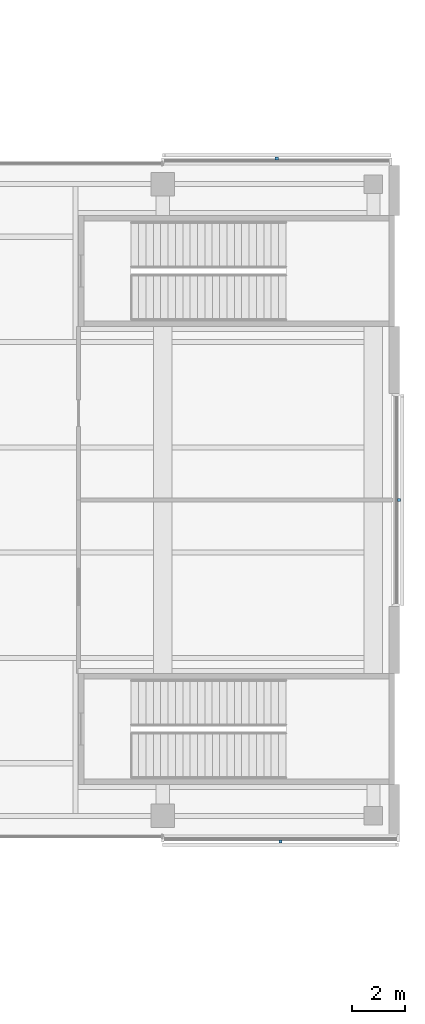
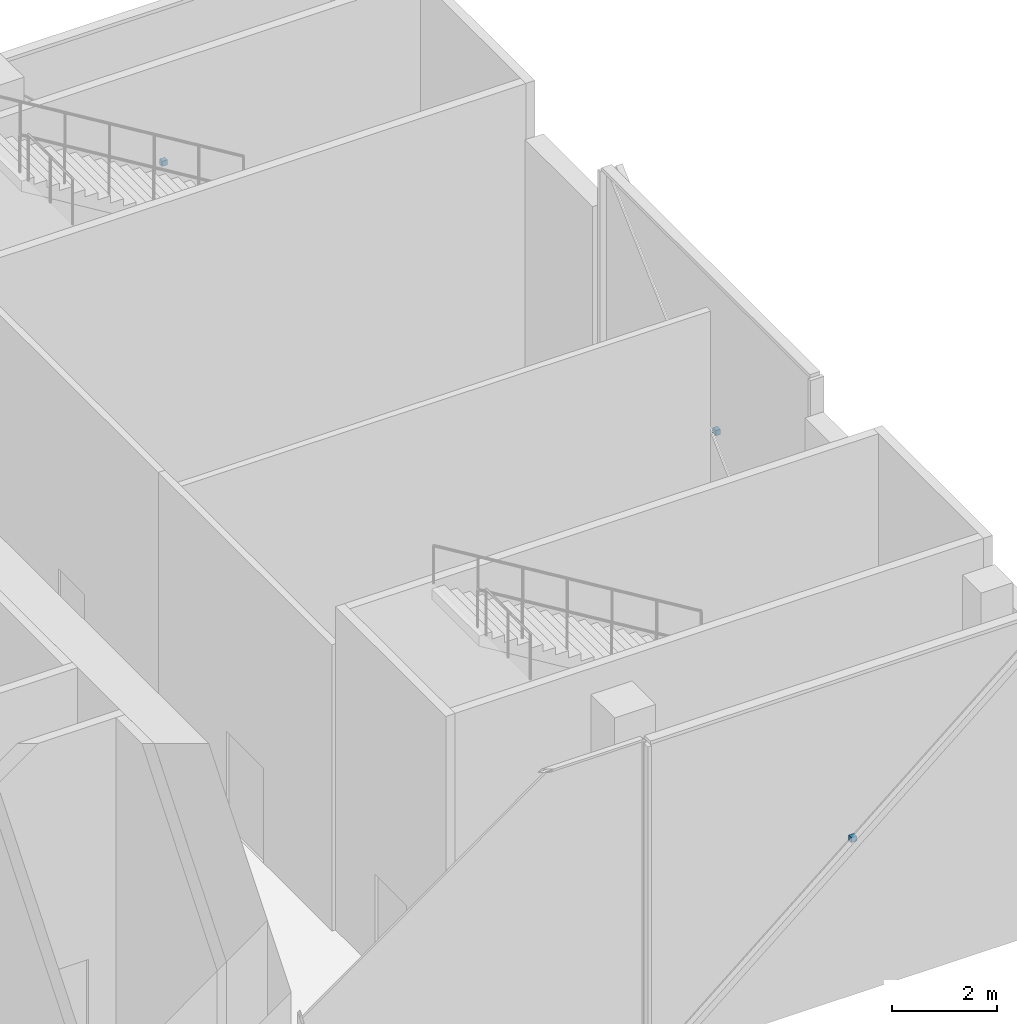
# One storey, part 22 of 25: 3 discrete accessories.
"""IFC4 building model written with IfcOpenShell, lengths in metres."""

from ifc_helpers import new_model, si_unit, direction, frame, origin, origin_2d, place, context, subcontext, project, spatial, rectangle, extrude, material, type_object, element, save


model = new_model("IFC4")

# Units and contexts
model_context = context("Model", 3, precision=1e-05, world=origin(), true_north=direction((0.0, 1.0)))
body_context = subcontext(model_context, "Body", "Model", "MODEL_VIEW")
ifc_project = project(units=[si_unit("LENGTHUNIT", "METRE"), si_unit("AREAUNIT", "SQUARE_METRE"), si_unit("VOLUMEUNIT", "CUBIC_METRE"), si_unit("PLANEANGLEUNIT", "RADIAN"), si_unit("MASSUNIT", "GRAM", prefix="KILO")], contexts=[model_context])

# Site, building, storey
site_placement = place(None, origin())
site = spatial("IfcSite", under=ifc_project, at=site_placement, CompositionType="ELEMENT")
building_placement = place(site_placement, origin())
building = spatial("IfcBuilding", under=site, at=building_placement, Name="Crosswind Convention Tower", CompositionType="ELEMENT")
storey_placement = place(building_placement, frame((0.0, 0.0, 34.0)))
storey = spatial("IfcBuildingStorey", under=building, at=storey_placement, Name="L04", CompositionType="ELEMENT", Elevation=34.0)

# Discrete accessories
ifc_material = material(Name="Stainless steel", Category="steel")
discrete_accessory_type = type_object("IfcDiscreteAccessoryType", Name="BAGUETTE BRACKET BK1", PredefinedType="BRACKET", material=ifc_material)
for number, where, z_axis, x_axis, name in (
    (1, (169.97412109375, 100.0, 3.25), (0.0, 0.0, 1.0), (0.0, 1.0, 0.0), "BK1 baguette bracket"),
    (2, (165.330078125, 112.97412109375, 3.25), (0.0, 0.0, 1.0), (-1.0, 0.0, 0.0), "BK1 baguette bracket"),
    (3, (165.472412109375, 87.02587890625, 3.25), (0.0, 0.0, 1.0), (1.0, 0.0, 0.0), "BK1 baguette bracket"),
):
    element("IfcDiscreteAccessory", number, at=place(storey_placement, frame(where, z_axis=z_axis, x_axis=x_axis)), inside=storey, type_object=discrete_accessory_type, Name=name, PredefinedType="BRACKET", context=body_context, shape_type="SweptSolid", body=[
        extrude(rectangle(XDim=0.1201171875, YDim=0.10009765625, at=origin_2d()), origin(), (0.0, 0.0, 1.0), 0.1201171875),
    ])

save(model, "model.ifc")
